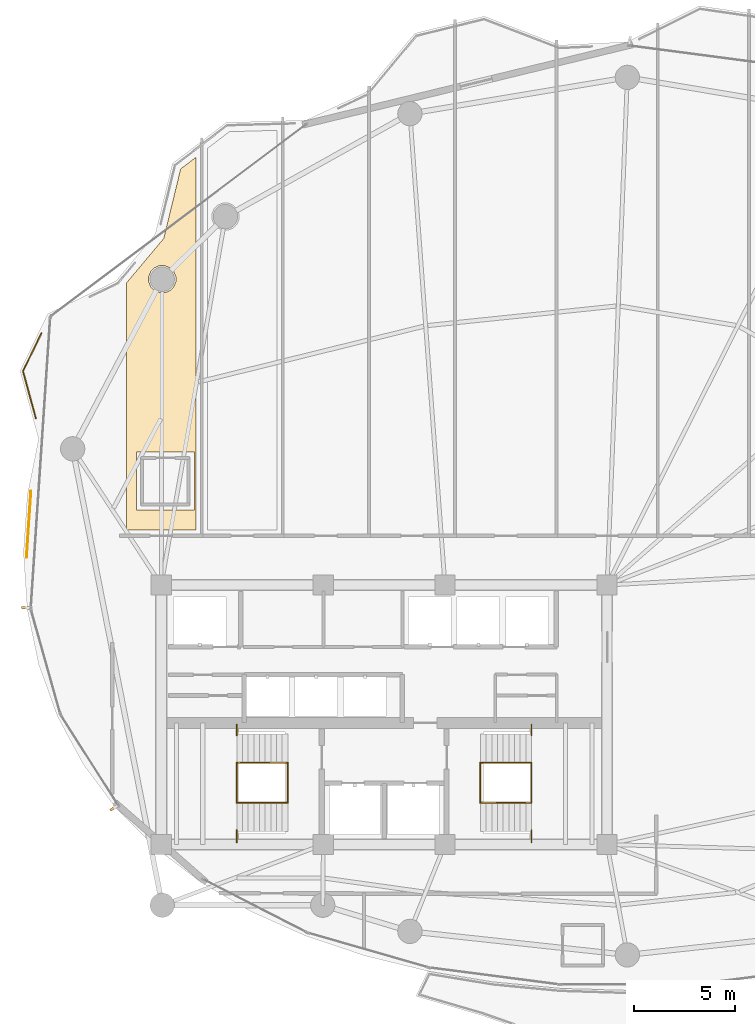
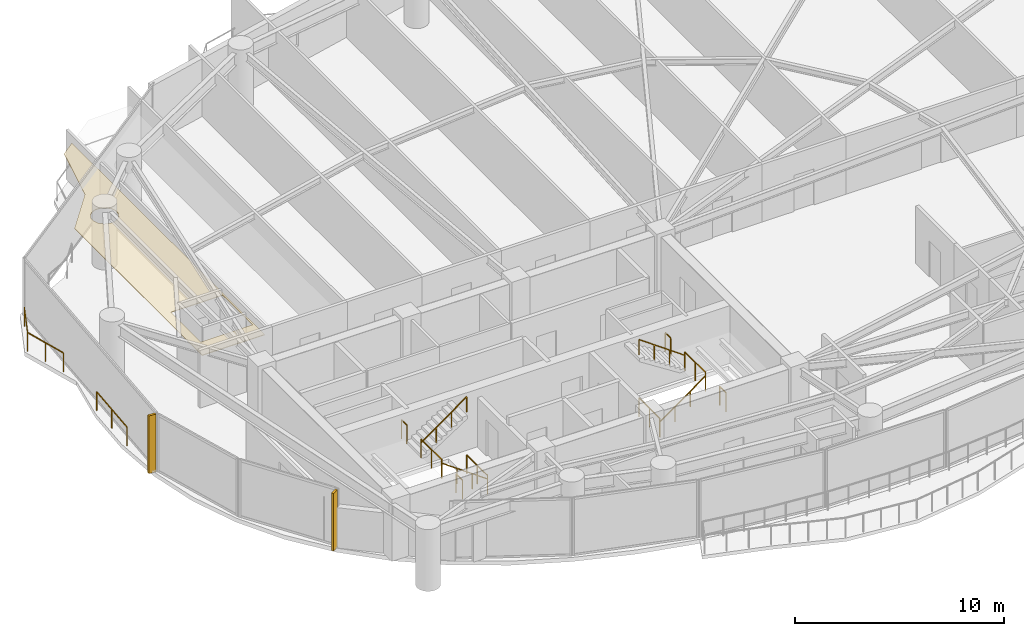
# One storey, part 28 of 30: 14 railings, 2 shading devices, 1 covering.
"""IFC4 building model written with IfcOpenShell, lengths in metres."""

import ifcopenshell
import ifcopenshell.guid

model = None  # the IFC model being written
_history = None  # IfcOwnerHistory: only IFC2X3 demands one
_inside = {}  # id of a spatial element -> (the spatial element, [elements in it])
_under = {}  # id of a project, library or spatial element -> (it, [spatial elements below it])
_declared = {}  # id of a project -> (the project, [libraries it declares])
_typed = {}  # id of a type object -> (the type object, [elements of that type])
_made_of = {}  # id of a material, layer set ... -> (it, [elements and type objects made of it])


def new_model(schema):
    """Start an empty IFC model of exactly this schema.

    Asked for "IFC4X3", IfcOpenShell would pick the latest addendum, in which some entities
    have other attributes; the version numbers below select the first issue.
    IFC2X3 requires an IfcOwnerHistory on every rooted entity: one is made here for all.
    """
    global model, _history
    if schema == "IFC4X3":
        model = ifcopenshell.file(schema_version=(4, 3, 0, 0))
    else:
        model = ifcopenshell.file(schema=schema)
    _inside.clear()
    _under.clear()
    _declared.clear()
    _typed.clear()
    _made_of.clear()
    _history = None
    if model.schema == "IFC2X3":
        org = make("IfcOrganization", Name="unknown")
        user = make(
            "IfcPersonAndOrganization",
            ThePerson=make("IfcPerson", FamilyName="unknown"),
            TheOrganization=org,
        )
        app = make(
            "IfcApplication",
            ApplicationDeveloper=org,
            Version="unknown",
            ApplicationFullName="unknown",
            ApplicationIdentifier="unknown",
        )
        _history = make(
            "IfcOwnerHistory",
            OwningUser=user,
            OwningApplication=app,
            ChangeAction="ADDED",
            CreationDate=0,
        )
    return model


def make(cls, **values):
    """One entity of the class cls with the attributes given. An attribute that is None is left unset."""
    return model.create_entity(
        cls, **{name: value for name, value in values.items() if value is not None}
    )


def rooted(cls, **values):
    """An entity with a GlobalId (a new one), such as an element, a storey or a relation."""
    return make(cls, GlobalId=ifcopenshell.guid.new(), OwnerHistory=_history, **values)


def si_unit(unit_type, name, prefix=None):
    """IfcSIUnit, for example si_unit("LENGTHUNIT", "METRE", prefix="MILLI")."""
    return make("IfcSIUnit", UnitType=unit_type, Prefix=prefix, Name=name)


def assignment(units):
    """IfcUnitAssignment: the units of a project."""
    return None if units is None else make("IfcUnitAssignment", Units=units)


def point(xyz):
    """IfcCartesianPoint."""
    return None if xyz is None else make("IfcCartesianPoint", Coordinates=xyz)


def direction(xyz):
    """IfcDirection."""
    return None if xyz is None else make("IfcDirection", DirectionRatios=xyz)


def frame(location, z_axis=None, x_axis=None):
    """IfcAxis2Placement3D, a coordinate frame: its origin and axes. An axis left out is left unset."""
    return make(
        "IfcAxis2Placement3D",
        Location=point(location),
        Axis=direction(z_axis),
        RefDirection=direction(x_axis),
    )


def frame_2d(location, x_axis=None):
    """IfcAxis2Placement2D, a coordinate frame in the plane: its origin and x axis."""
    return make(
        "IfcAxis2Placement2D", Location=point(location), RefDirection=direction(x_axis)
    )


def origin():
    """The frame at (0, 0, 0) with its axes left unset."""
    return frame((0.0, 0.0, 0.0))


def origin_2d():
    """The frame at (0, 0) in the plane with its x axis left unset."""
    return frame_2d((0.0, 0.0))


def place(relative_to, where):
    """IfcLocalPlacement: puts the frame where relative to a parent placement (None: the world)."""
    return make(
        "IfcLocalPlacement", PlacementRelTo=relative_to, RelativePlacement=where
    )


def context(
    kind, dimensions, precision=None, world=None, true_north=None, identifier=None
):
    """IfcGeometricRepresentationContext, for example the 3D "Model" context."""
    return make(
        "IfcGeometricRepresentationContext",
        ContextIdentifier=identifier,
        ContextType=kind,
        CoordinateSpaceDimension=dimensions,
        Precision=precision,
        WorldCoordinateSystem=world,
        TrueNorth=true_north,
    )


def subcontext(parent, identifier, kind, view, scale=None):
    """IfcGeometricRepresentationSubContext, for example "Body" below "Model"."""
    return make(
        "IfcGeometricRepresentationSubContext",
        ContextIdentifier=identifier,
        ContextType=kind,
        ParentContext=parent,
        TargetScale=scale,
        TargetView=view,
    )


def project(units=None, contexts=None):
    """IfcProject with its units and contexts."""
    return rooted(
        "IfcProject",
        Name="project",
        RepresentationContexts=contexts,
        UnitsInContext=assignment(units),
    )


def spatial(cls, under=None, at=None, **own):
    """A site, building, storey or space (cls), placed at a placement, below another one or the project."""
    s = rooted(cls, ObjectPlacement=at, **own)
    if under is not None:
        _under.setdefault(under.id(), (under, []))[1].append(s)
    return s


def polyline(points):
    """IfcPolyline through the points."""
    return make("IfcPolyline", Points=[point(p) for p in points])


def profile(cls, at=None, kind="AREA", **sizes):
    """A parametric profile (cls). Its sizes go by their IFC names, for example OverallWidth=200.0."""
    return make(cls, ProfileType=kind, Position=at, **sizes)


def rectangle(**sizes):
    """IfcRectangleProfileDef."""
    return profile("IfcRectangleProfileDef", **sizes)


def outline(outer, holes=None, kind="AREA"):
    """IfcArbitraryClosedProfileDef: a profile drawn as a closed curve; with holes, ...WithVoids."""
    if holes is None:
        return make("IfcArbitraryClosedProfileDef", ProfileType=kind, OuterCurve=outer)
    return make(
        "IfcArbitraryProfileDefWithVoids",
        ProfileType=kind,
        OuterCurve=outer,
        InnerCurves=holes,
    )


def extrude(swept, where, along, depth):
    """IfcExtrudedAreaSolid: the profile swept, set in the frame where, extruded along a direction by depth."""
    return make(
        "IfcExtrudedAreaSolid",
        SweptArea=swept,
        Position=where,
        ExtrudedDirection=direction(along),
        Depth=depth,
    )


def shape(context_of_items, identifier, shape_type, items):
    """IfcShapeRepresentation: the items that make up one representation, for example the "Body"."""
    return make(
        "IfcShapeRepresentation",
        ContextOfItems=context_of_items,
        RepresentationIdentifier=identifier,
        RepresentationType=shape_type,
        Items=items,
    )


def material(Name=None, Category=None):
    """IfcMaterial."""
    return make("IfcMaterial", Name=Name, Category=Category)


def layer(
    of_material, thickness, ventilated=None, Name=None, Category=None, Priority=None
):
    """IfcMaterialLayer: one layer of a wall or slab, of a material (None: an air gap)."""
    return make(
        "IfcMaterialLayer",
        Material=of_material,
        LayerThickness=thickness,
        IsVentilated=ventilated,
        Name=Name,
        Category=Category,
        Priority=Priority,
    )


def layer_set(layers, Name=None):
    """IfcMaterialLayerSet."""
    return make("IfcMaterialLayerSet", MaterialLayers=layers, LayerSetName=Name)


def made_of(thing, what):
    """Note that an element or type object is made of a material, layer set ...; save() writes the relation."""
    if what is not None:
        _made_of.setdefault(what.id(), (what, []))[1].append(thing)
    return thing


def type_object(cls, material=None, **own):
    """A type object (cls), such as IfcWallType, which elements share."""
    return made_of(rooted(cls, **own), material)


def element(
    cls,
    number,
    at=None,
    inside=None,
    cuts=None,
    type_object=None,
    material=None,
    context=None,
    identifier="Body",
    shape_type=None,
    held_by="IfcProductDefinitionShape",
    body=None,
    shapes=None,
    **own,
):
    """One element of the class cls, such as IfcWall. Its Tag is "e" and its number.

    at: its placement. inside: the storey or other place that contains it. cuts: it is an
    opening in that element (IfcRelVoidsElement). A single representation is given by context,
    identifier, shape_type and body (its items); several are given by shapes. held_by: the class
    of the entity that holds the representations. save() writes the other relations.
    """
    e = rooted(cls, Tag="e%d" % number, ObjectPlacement=at, **own)
    if body is not None:
        shapes = [shape(context, identifier, shape_type, body)]
    if shapes is not None:
        e.Representation = make(held_by, Representations=shapes)
    if inside is not None:
        _inside.setdefault(inside.id(), (inside, []))[1].append(e)
    if cuts is not None:
        rooted(
            "IfcRelVoidsElement", RelatingBuildingElement=cuts, RelatedOpeningElement=e
        )
    if type_object is not None:
        _typed.setdefault(type_object.id(), (type_object, []))[1].append(e)
    return made_of(e, material)


def aggregate(whole, parts):
    """IfcRelAggregates: a whole, such as a stair, and the parts it consists of."""
    return rooted("IfcRelAggregates", RelatingObject=whole, RelatedObjects=parts)


def save(model, path):
    """Write the relations noted so far, then the file.

    IfcRelAggregates (storeys below a building ...), IfcRelContainedInSpatialStructure (elements
    in a storey), IfcRelDefinesByType, IfcRelAssociatesMaterial and IfcRelDeclares: one each for
    every whole, place, type object, material and project.
    """
    for whole, parts in _under.values():
        aggregate(whole, parts)
    for where, things in _inside.values():
        rooted(
            "IfcRelContainedInSpatialStructure",
            RelatedElements=things,
            RelatingStructure=where,
        )
    for kind, things in _typed.values():
        rooted("IfcRelDefinesByType", RelatedObjects=things, RelatingType=kind)
    for what, things in _made_of.values():
        rooted("IfcRelAssociatesMaterial", RelatedObjects=things, RelatingMaterial=what)
    for by, libraries in _declared.values():
        rooted("IfcRelDeclares", RelatingContext=by, RelatedDefinitions=libraries)
    model.write(path)


model = new_model("IFC4")

# Units and contexts
model_context = context("Model", 3, precision=1e-05, world=origin(), true_north=direction((0.0, 1.0)))
body_context = subcontext(model_context, "Body", "Model", "MODEL_VIEW")
ifc_project = project(units=[si_unit("LENGTHUNIT", "METRE"), si_unit("AREAUNIT", "SQUARE_METRE"), si_unit("VOLUMEUNIT", "CUBIC_METRE"), si_unit("PLANEANGLEUNIT", "RADIAN"), si_unit("MASSUNIT", "GRAM", prefix="KILO")], contexts=[model_context])

# Site, building, storey
site_placement = place(None, origin())
site = spatial("IfcSite", under=ifc_project, at=site_placement, CompositionType="ELEMENT")
building_placement = place(site_placement, origin())
building = spatial("IfcBuilding", under=site, at=building_placement, Name="Kazevale Care Tower and Concert Hall", CompositionType="ELEMENT")
storey_placement = place(building_placement, frame((0.0, 0.0, 113.39990234375)))
storey = spatial("IfcBuildingStorey", under=building, at=storey_placement, Name="L29", CompositionType="ELEMENT", Elevation=113.39990234375)

# Covering
ifc_material_1 = material(Name="Acoustic Plaster and Hinoki Wood", Category="wood")
ifc_layer = layer(ifc_material_1, 0.0400390625)
ifc_layer_set = layer_set([ifc_layer], Name="Acoustic Plaster and Hinoki Wood")
covering_type = type_object("IfcCoveringType", Name="Acoustic Perforated Wood-Gypsum Ceiling", PredefinedType="CEILING", material=ifc_layer_set)
covering_placement = place(storey_placement, frame((0.0, 0.0, 2.710205078125)))
element("IfcCovering", 1, at=covering_placement, inside=storey, type_object=covering_type, Name="clg:L29:1", PredefinedType="CEILING", context=body_context, shape_type="SweptSolid", body=[
    extrude(outline(polyline([(23.719970703125, 57.513916015625), (23.719970703125, 39.10498046875), (20.280029296875, 39.10498046875), (20.280029296875, 51.302001953125), (22.123046875, 53.4990234375), (22.9580078125, 56.930908203125), (23.719970703125, 57.513916015625)]), holes=[polyline([(20.77001953125, 42.955078125), (20.77001953125, 40.094970703125), (23.6298828125, 40.094970703125), (23.6298828125, 42.955078125), (20.77001953125, 42.955078125)]), polyline([(22.717041015625, 51.623046875), (22.614990234375, 51.867919921875), (22.427978515625, 52.054931640625), (22.18310546875, 52.156982421875), (21.9169921875, 52.156982421875), (21.672119140625, 52.054931640625), (21.485107421875, 51.867919921875), (21.383056640625, 51.623046875), (21.383056640625, 51.35693359375), (21.485107421875, 51.112060546875), (21.672119140625, 50.925048828125), (21.9169921875, 50.822998046875), (22.18310546875, 50.822998046875), (22.427978515625, 50.925048828125), (22.614990234375, 51.112060546875), (22.717041015625, 51.35693359375), (22.717041015625, 51.623046875)])]), origin(), (0.0, 0.0, 1.0), 0.039794921875),
])

# Railings
ifc_material_2 = material(Name="Anodised Bronze Aluminium and Laminated Glass", Category="aluminium")
railing_type_1 = type_object("IfcRailingType", Name="Balcony and Terrace Balustrade 1120", PredefinedType="BALUSTRADE", material=ifc_material_2)
railing_1_placement = place(storey_placement, frame((15.35498046875, 37.77294921875, 0.0)))
element("IfcRailing", 2, at=railing_1_placement, inside=storey, type_object=railing_type_1, Name="rail:L29:perim:1", PredefinedType="BALUSTRADE", context=body_context, shape_type="SweptSolid", body=[
    extrude(rectangle(XDim=0.048095703125, YDim=0.048095703125, at=origin_2d()), frame((0.0, 0.0, 1.09619140625), z_axis=(0.066667660785, 0.997775236717, 0.0), x_axis=(-0.997775236717, 0.066667660785, 0.0)), (0.0, 0.0, 1.0), 3.270263671875),
    extrude(rectangle(XDim=0.0419921875, YDim=0.0419921875, at=origin_2d()), origin(), (0.0, 0.0, 1.0), 1.072021484375),
    extrude(rectangle(XDim=0.0419921875, YDim=0.0419921875, at=origin_2d()), frame((0.10888671875, 1.63134765625, 0.0)), (0.0, 0.0, 1.0), 1.072021484375),
    extrude(rectangle(XDim=0.0419921875, YDim=0.0419921875, at=origin_2d()), frame((0.218017578125, 3.262939453125, 0.0)), (0.0, 0.0, 1.0), 1.072021484375),
])
railing_2_placement = place(storey_placement, frame((15.81298828125, 44.631103515625, 0.0)))
element("IfcRailing", 3, at=railing_2_placement, inside=storey, type_object=railing_type_1, Name="rail:L29:perim:2", PredefinedType="BALUSTRADE", context=body_context, shape_type="SweptSolid", body=[
    extrude(rectangle(XDim=0.048095703125, YDim=0.048095703125, at=origin_2d()), frame((0.0, 0.0, 1.09619140625), z_axis=(-0.262679540439, 0.96488313232, 0.0), x_axis=(-0.96488313232, -0.262679540439, 0.0)), (0.0, 0.0, 1.0), 2.40625),
    extrude(rectangle(XDim=0.048095703125, YDim=0.048095703125, at=origin_2d()), frame((-0.632080078125, 2.32177734375, 1.09619140625), z_axis=(0.435530489305, 0.900173979232, 0.0), x_axis=(-0.900173979232, 0.435530489305, 0.0)), (0.0, 0.0, 1.0), 2.096435546875),
    extrude(rectangle(XDim=0.0419921875, YDim=0.0419921875, at=origin_2d()), origin(), (0.0, 0.0, 1.0), 1.072021484375),
    extrude(rectangle(XDim=0.0419921875, YDim=0.0419921875, at=origin_2d()), frame((-0.31591796875, 1.160888671875, 0.0)), (0.0, 0.0, 1.0), 1.072021484375),
    extrude(rectangle(XDim=0.0419921875, YDim=0.0419921875, at=origin_2d()), frame((-0.632080078125, 2.32177734375, 0.0)), (0.0, 0.0, 1.0), 1.072021484375),
    extrude(rectangle(XDim=0.0419921875, YDim=0.0419921875, at=origin_2d()), frame((0.281005859375, 4.208984375, 0.0)), (0.0, 0.0, 1.0), 1.072021484375),
])
ifc_material_3 = material(Name="Stainless Steel 316", Category="steel")
railing_type_2 = type_object("IfcRailingType", Name="Stair Pitch Handrail 920", PredefinedType="HANDRAIL", material=ifc_material_3)
railing_3_placement = place(storey_placement, frame((28.25, 25.659912109375, 0.0)))
element("IfcRailing", 4, at=railing_3_placement, inside=storey, type_object=railing_type_2, Name="stair:L29:ST1:hr1", PredefinedType="HANDRAIL", context=body_context, shape_type="SweptSolid", body=[
    extrude(rectangle(XDim=0.048095703125, YDim=0.048095703125, at=origin_2d()), frame((0.0, 0.0, 0.89599609375), z_axis=(-0.813728144527, 0.0, 0.581245650998), x_axis=(0.0, -1.0, 0.0)), (0.0, 0.0, 1.0), 3.096923828125),
    extrude(rectangle(XDim=0.0419921875, YDim=0.0419921875, at=origin_2d()), origin(), (0.0, 0.0, 1.0), 0.871826171875),
    extrude(rectangle(XDim=0.0419921875, YDim=0.0419921875, at=origin_2d()), frame((-0.840087890625, 0.0, 0.60009765625)), (0.0, 0.0, 1.0), 0.871826171875),
    extrude(rectangle(XDim=0.0419921875, YDim=0.0419921875, at=origin_2d()), frame((-1.679931640625, 0.0, 1.199951171875)), (0.0, 0.0, 1.0), 0.871826171875),
    extrude(rectangle(XDim=0.0419921875, YDim=0.0419921875, at=origin_2d()), frame((-2.52001953125, 0.0, 1.800048828125)), (0.0, 0.0, 1.0), 0.871826171875),
])
for number, where, name in (
    (5, (25.72998046875, 27.639892578125, 1.800048828125), "stair:L29:ST1:hr2"),
    (6, (37.75, 25.659912109375, 0.0), "stair:L29:ST2:hr1"),
):
    element("IfcRailing", number, at=place(storey_placement, frame(where)), inside=storey, type_object=railing_type_2, Name=name, PredefinedType="HANDRAIL", context=body_context, shape_type="SweptSolid", body=[
        extrude(rectangle(XDim=0.048095703125, YDim=0.048095703125, at=origin_2d()), frame((0.0, 0.0, 0.89599609375), z_axis=(0.813728144527, 0.0, 0.581245650998), x_axis=(0.0, 1.0, 0.0)), (0.0, 0.0, 1.0), 3.096923828125),
        extrude(rectangle(XDim=0.0419921875, YDim=0.0419921875, at=origin_2d()), origin(), (0.0, 0.0, 1.0), 0.871826171875),
        extrude(rectangle(XDim=0.0419921875, YDim=0.0419921875, at=origin_2d()), frame((0.840087890625, 0.0, 0.60009765625)), (0.0, 0.0, 1.0), 0.871826171875),
        extrude(rectangle(XDim=0.0419921875, YDim=0.0419921875, at=origin_2d()), frame((1.679931640625, 0.0, 1.199951171875)), (0.0, 0.0, 1.0), 0.871826171875),
        extrude(rectangle(XDim=0.0419921875, YDim=0.0419921875, at=origin_2d()), frame((2.52001953125, 0.0, 1.800048828125)), (0.0, 0.0, 1.0), 0.871826171875),
    ])
railing_4_placement = place(storey_placement, frame((40.27001953125, 27.639892578125, 1.800048828125)))
element("IfcRailing", 7, at=railing_4_placement, inside=storey, type_object=railing_type_2, Name="stair:L29:ST2:hr2", PredefinedType="HANDRAIL", context=body_context, shape_type="SweptSolid", body=[
    extrude(rectangle(XDim=0.048095703125, YDim=0.048095703125, at=origin_2d()), frame((0.0, 0.0, 0.89599609375), z_axis=(-0.813728144527, 0.0, 0.581245650998), x_axis=(0.0, -1.0, 0.0)), (0.0, 0.0, 1.0), 3.096923828125),
    extrude(rectangle(XDim=0.0419921875, YDim=0.0419921875, at=origin_2d()), origin(), (0.0, 0.0, 1.0), 0.871826171875),
    extrude(rectangle(XDim=0.0419921875, YDim=0.0419921875, at=origin_2d()), frame((-0.840087890625, 0.0, 0.60009765625)), (0.0, 0.0, 1.0), 0.871826171875),
    extrude(rectangle(XDim=0.0419921875, YDim=0.0419921875, at=origin_2d()), frame((-1.679931640625, 0.0, 1.199951171875)), (0.0, 0.0, 1.0), 0.871826171875),
    extrude(rectangle(XDim=0.0419921875, YDim=0.0419921875, at=origin_2d()), frame((-2.52001953125, 0.0, 1.800048828125)), (0.0, 0.0, 1.0), 0.871826171875),
])
railing_type_3 = type_object("IfcRailingType", Name="Stair Well Guard Balustrade 1120", PredefinedType="BALUSTRADE", material=ifc_material_3)
railing_5_placement = place(storey_placement, frame((25.72998046875, 23.699951171875, 1.800048828125)))
element("IfcRailing", 8, at=railing_5_placement, inside=storey, type_object=railing_type_3, Name="stair:L29:ST1:grd_side1", PredefinedType="BALUSTRADE", context=body_context, shape_type="SweptSolid", body=[
    extrude(rectangle(XDim=0.048095703125, YDim=0.048095703125, at=origin_2d()), frame((0.0, 0.0, 1.09619140625), z_axis=(0.0, 1.0, 0.0), x_axis=(-1.0, 0.0, 0.0)), (0.0, 0.0, 1.0), 0.610107421875),
    extrude(rectangle(XDim=0.0419921875, YDim=0.0419921875, at=origin_2d()), origin(), (0.0, 0.0, 1.0), 1.072021484375),
    extrude(rectangle(XDim=0.0419921875, YDim=0.0419921875, at=origin_2d()), frame((0.0, 0.610107421875, 0.0)), (0.0, 0.0, 1.0), 1.072021484375),
])
railing_6_placement = place(storey_placement, frame((25.72998046875, 28.989990234375, 1.800048828125)))
element("IfcRailing", 9, at=railing_6_placement, inside=storey, type_object=railing_type_3, Name="stair:L29:ST1:grd_side2", PredefinedType="BALUSTRADE", context=body_context, shape_type="SweptSolid", body=[
    extrude(rectangle(XDim=0.048095703125, YDim=0.048095703125, at=origin_2d()), frame((0.0, 0.0, 1.09619140625), z_axis=(0.0, 1.0, 0.0), x_axis=(-1.0, 0.0, 0.0)), (0.0, 0.0, 1.0), 0.510009765625),
    extrude(rectangle(XDim=0.0419921875, YDim=0.0419921875, at=origin_2d()), origin(), (0.0, 0.0, 1.0), 1.072021484375),
    extrude(rectangle(XDim=0.0419921875, YDim=0.0419921875, at=origin_2d()), frame((0.0, 0.510009765625, 0.0)), (0.0, 0.0, 1.0), 1.072021484375),
])
for number, where, name in (
    (10, (25.72998046875, 25.659912109375, 1.800048828125), "stair:L29:ST1:grd_mid"),
    (11, (28.25, 25.659912109375, 0.0), "stair:L29:ST1:grd_flr"),
):
    element("IfcRailing", number, at=place(storey_placement, frame(where)), inside=storey, type_object=railing_type_3, Name=name, PredefinedType="BALUSTRADE", context=body_context, shape_type="SweptSolid", body=[
        extrude(rectangle(XDim=0.048095703125, YDim=0.048095703125, at=origin_2d()), frame((0.0, 0.0, 1.09619140625), z_axis=(0.0, 1.0, 0.0), x_axis=(-1.0, 0.0, 0.0)), (0.0, 0.0, 1.0), 1.97998046875),
        extrude(rectangle(XDim=0.0419921875, YDim=0.0419921875, at=origin_2d()), origin(), (0.0, 0.0, 1.0), 1.072021484375),
        extrude(rectangle(XDim=0.0419921875, YDim=0.0419921875, at=origin_2d()), frame((0.0, 0.989990234375, 0.0)), (0.0, 0.0, 1.0), 1.072021484375),
        extrude(rectangle(XDim=0.0419921875, YDim=0.0419921875, at=origin_2d()), frame((0.0, 1.97998046875, 0.0)), (0.0, 0.0, 1.0), 1.072021484375),
    ])
railing_7_placement = place(storey_placement, frame((40.27001953125, 23.699951171875, 1.800048828125)))
element("IfcRailing", 12, at=railing_7_placement, inside=storey, type_object=railing_type_3, Name="stair:L29:ST2:grd_side1", PredefinedType="BALUSTRADE", context=body_context, shape_type="SweptSolid", body=[
    extrude(rectangle(XDim=0.048095703125, YDim=0.048095703125, at=origin_2d()), frame((0.0, 0.0, 1.09619140625), z_axis=(0.0, 1.0, 0.0), x_axis=(-1.0, 0.0, 0.0)), (0.0, 0.0, 1.0), 0.610107421875),
    extrude(rectangle(XDim=0.0419921875, YDim=0.0419921875, at=origin_2d()), origin(), (0.0, 0.0, 1.0), 1.072021484375),
    extrude(rectangle(XDim=0.0419921875, YDim=0.0419921875, at=origin_2d()), frame((0.0, 0.610107421875, 0.0)), (0.0, 0.0, 1.0), 1.072021484375),
])
railing_8_placement = place(storey_placement, frame((40.27001953125, 28.989990234375, 1.800048828125)))
element("IfcRailing", 13, at=railing_8_placement, inside=storey, type_object=railing_type_3, Name="stair:L29:ST2:grd_side2", PredefinedType="BALUSTRADE", context=body_context, shape_type="SweptSolid", body=[
    extrude(rectangle(XDim=0.048095703125, YDim=0.048095703125, at=origin_2d()), frame((0.0, 0.0, 1.09619140625), z_axis=(0.0, 1.0, 0.0), x_axis=(-1.0, 0.0, 0.0)), (0.0, 0.0, 1.0), 0.510009765625),
    extrude(rectangle(XDim=0.0419921875, YDim=0.0419921875, at=origin_2d()), origin(), (0.0, 0.0, 1.0), 1.072021484375),
    extrude(rectangle(XDim=0.0419921875, YDim=0.0419921875, at=origin_2d()), frame((0.0, 0.510009765625, 0.0)), (0.0, 0.0, 1.0), 1.072021484375),
])
for number, where, name in (
    (14, (40.27001953125, 25.659912109375, 1.800048828125), "stair:L29:ST2:grd_mid"),
    (15, (37.75, 25.659912109375, 0.0), "stair:L29:ST2:grd_flr"),
):
    element("IfcRailing", number, at=place(storey_placement, frame(where)), inside=storey, type_object=railing_type_3, Name=name, PredefinedType="BALUSTRADE", context=body_context, shape_type="SweptSolid", body=[
        extrude(rectangle(XDim=0.048095703125, YDim=0.048095703125, at=origin_2d()), frame((0.0, 0.0, 1.09619140625), z_axis=(0.0, 1.0, 0.0), x_axis=(-1.0, 0.0, 0.0)), (0.0, 0.0, 1.0), 1.97998046875),
        extrude(rectangle(XDim=0.0419921875, YDim=0.0419921875, at=origin_2d()), origin(), (0.0, 0.0, 1.0), 1.072021484375),
        extrude(rectangle(XDim=0.0419921875, YDim=0.0419921875, at=origin_2d()), frame((0.0, 0.989990234375, 0.0)), (0.0, 0.0, 1.0), 1.072021484375),
        extrude(rectangle(XDim=0.0419921875, YDim=0.0419921875, at=origin_2d()), frame((0.0, 1.97998046875, 0.0)), (0.0, 0.0, 1.0), 1.072021484375),
    ])

# Shading devices
ifc_material_4 = material(Name="Honed Ochre Limestone", Category="masonry")
shading_device_type = type_object("IfcShadingDeviceType", Name="Vertical Honed Limestone Fin FIN-01", PredefinedType="USERDEFINED", material=ifc_material_4)
for number, where, z_axis, x_axis, name in (
    (16, (19.649658203125, 25.387451171875, 0.0), (0.0, 0.0, 1.0), (-0.843391445813, -0.537299608347, 0.0), "cw:L29:f11:fin"),
    (17, (15.293212890625, 35.2802734375, 0.0), (0.0, 0.0, 1.0), (-0.997778273548, 0.066622194773, 0.0), "cw:L29:f13:fin"),
):
    element("IfcShadingDevice", number, at=place(storey_placement, frame(where, z_axis=z_axis, x_axis=x_axis)), inside=storey, type_object=shading_device_type, Name=name, ObjectType="FIN", PredefinedType="USERDEFINED", context=body_context, shape_type="SweptSolid", body=[
        extrude(rectangle(XDim=0.3798828125, YDim=0.1201171875, at=origin_2d()), origin(), (0.0, 0.0, 1.0), 3.360107421875),
    ])

save(model, "model.ifc")
